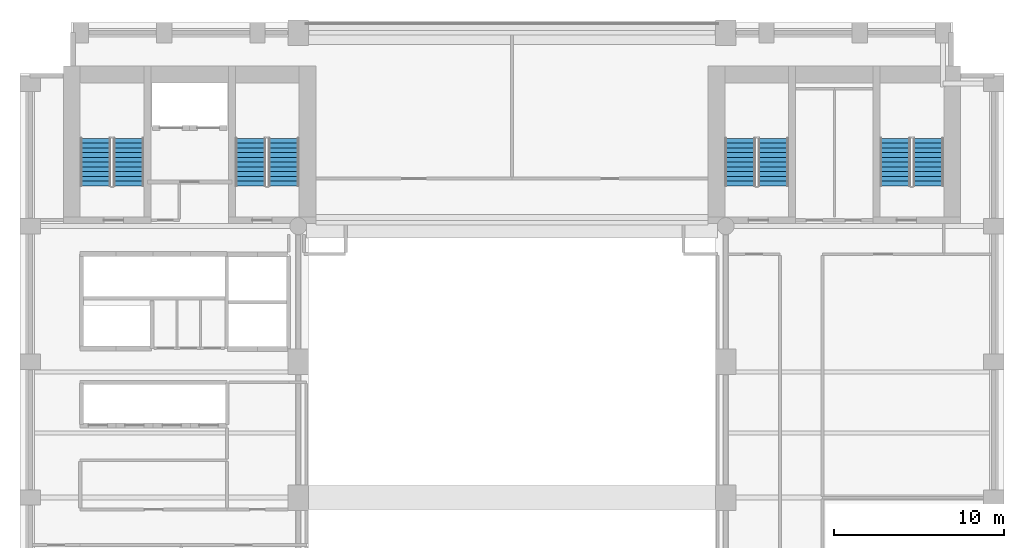
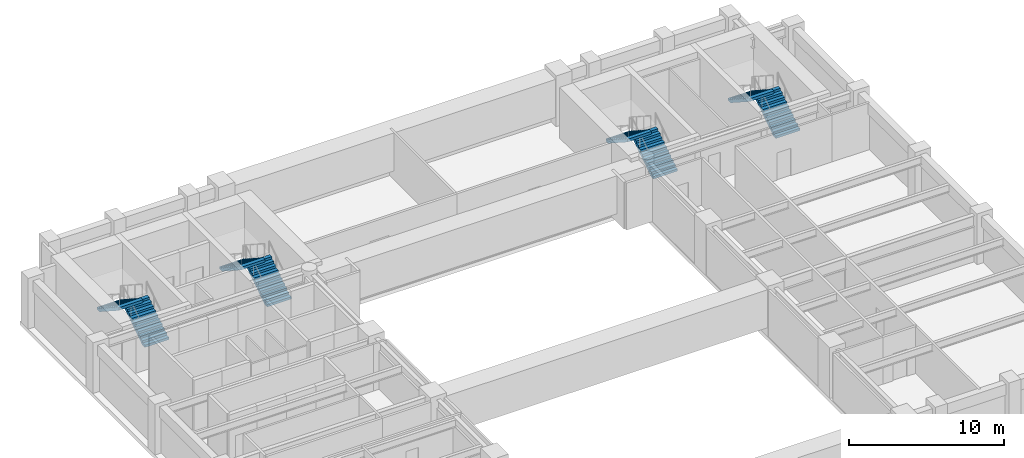
# One storey, part 5 of 8: 8 stair flights, 4 elements without a shape of their own.
"""IFC4 building model written with IfcOpenShell, lengths in metres."""

from ifc_helpers import new_model, si_unit, direction, frame, origin, place, context, subcontext, project, spatial, polyline, outline, extrude, material, type_object, element, aggregate, save


model = new_model("IFC4")

# Units and contexts
model_context = context("Model", 3, precision=1e-05, world=origin(), true_north=direction((0.0, 1.0)))
body_context = subcontext(model_context, "Body", "Model", "MODEL_VIEW")
ifc_project = project(units=[si_unit("LENGTHUNIT", "METRE"), si_unit("AREAUNIT", "SQUARE_METRE"), si_unit("VOLUMEUNIT", "CUBIC_METRE"), si_unit("PLANEANGLEUNIT", "RADIAN"), si_unit("MASSUNIT", "GRAM", prefix="KILO")], contexts=[model_context])

# Site, building, storey
site_placement = place(None, origin())
site = spatial("IfcSite", under=ifc_project, at=site_placement, CompositionType="ELEMENT")
building_placement = place(site_placement, origin())
building = spatial("IfcBuilding", under=site, at=building_placement, Name="Sulina Concourse Tower", CompositionType="ELEMENT")
storey_placement = place(building_placement, frame((0.0, 0.0, 42.60009765625)))
storey = spatial("IfcBuildingStorey", under=building, at=storey_placement, Name="L10", CompositionType="ELEMENT", Elevation=42.60009765625)

# Stair, stair flights
ifc_material_1 = material(Name="Concrete C50/60", Category="concrete")
stair_type_1 = type_object("IfcStairType", Name="Portal & Podium Core Exit Stair 1820mm", PredefinedType="HALF_TURN_STAIR", material=ifc_material_1)
stair_1_placement = place(storey_placement, origin())
stair_1 = element("IfcStair", 1, at=stair_1_placement, inside=storey, type_object=stair_type_1, Name="L10 ST-3", PredefinedType="HALF_TURN_STAIR")
ifc_material_2 = material(Name="Concrete C50/60", Category="concrete")
stair_flight_type_1 = type_object("IfcStairFlightType", Name="Portal & Podium Core Exit Stair 1820mm Flight", PredefinedType="STRAIGHT", material=ifc_material_2)
stair_flight_1_placement = place(storey_placement, frame((44.405029296875, 36.375, 0.0), z_axis=(0.0, 0.0, 1.0), x_axis=(0.0, 1.0, 0.0)))
stair_flight_1 = element("IfcStairFlight", 2, at=stair_flight_1_placement, type_object=stair_flight_type_1, Name="ST-3 flight 1", NumberOfRisers=11, NumberOfTreads=10, PredefinedType="STRAIGHT", RiserHeight=0.181818182, TreadLength=0.28, context=body_context, shape_type="SweptSolid", body=[
    extrude(outline(polyline([(0.0, 0.0), (0.0, 0.181884765625), (0.280029296875, 0.181884765625), (0.280029296875, 0.363525390625), (0.56005859375, 0.363525390625), (0.56005859375, 0.54541015625), (0.840087890625, 0.54541015625), (0.840087890625, 0.727294921875), (1.1201171875, 0.727294921875), (1.1201171875, 0.9091796875), (1.39990234375, 0.9091796875), (1.39990234375, 1.0908203125), (1.679931640625, 1.0908203125), (1.679931640625, 1.272705078125), (1.9599609375, 1.272705078125), (1.9599609375, 1.45458984375), (2.239990234375, 1.45458984375), (2.239990234375, 1.636474609375), (2.52001953125, 1.636474609375), (2.52001953125, 1.818115234375), (2.800048828125, 1.818115234375), (2.800048828125, 2.0), (2.800048828125, 1.603759765625), (0.330322265625, 0.0), (0.0, 0.0)])), frame((0.0, 0.89990234375, 0.0), z_axis=(0.0, -1.0, 0.0), x_axis=(1.0, 0.0, 0.0)), (0.0, 0.0, 1.0), 1.800048828125),
])
stair_flight_2_placement = place(storey_placement, frame((42.455078125, 39.175048828125, 2.0), z_axis=(0.0, 0.0, 1.0), x_axis=(0.0, -1.0, 0.0)))
stair_flight_2 = element("IfcStairFlight", 3, at=stair_flight_2_placement, type_object=stair_flight_type_1, Name="ST-3 flight 2", NumberOfRisers=11, NumberOfTreads=10, PredefinedType="STRAIGHT", RiserHeight=0.181818182, TreadLength=0.28, context=body_context, shape_type="SweptSolid", body=[
    extrude(outline(polyline([(0.0, 0.0), (0.0, 0.181884765625), (0.280029296875, 0.181884765625), (0.280029296875, 0.363525390625), (0.56005859375, 0.363525390625), (0.56005859375, 0.54541015625), (0.840087890625, 0.54541015625), (0.840087890625, 0.727294921875), (1.1201171875, 0.727294921875), (1.1201171875, 0.9091796875), (1.39990234375, 0.9091796875), (1.39990234375, 1.0908203125), (1.679931640625, 1.0908203125), (1.679931640625, 1.272705078125), (1.9599609375, 1.272705078125), (1.9599609375, 1.45458984375), (2.239990234375, 1.45458984375), (2.239990234375, 1.636474609375), (2.52001953125, 1.636474609375), (2.52001953125, 1.818115234375), (2.800048828125, 1.818115234375), (2.800048828125, 2.0), (2.800048828125, 1.603759765625), (0.330322265625, 0.0), (0.0, 0.0)])), frame((0.0, 0.89990234375, 0.0), z_axis=(0.0, -1.0, 0.0), x_axis=(1.0, 0.0, 0.0)), (0.0, 0.0, 1.0), 1.800048828125),
])
aggregate(stair_1, [stair_flight_1, stair_flight_2])

stair_2_placement = place(storey_placement, origin())
stair_2 = element("IfcStair", 4, at=stair_2_placement, inside=storey, type_object=stair_type_1, Name="L10 ST-4", PredefinedType="HALF_TURN_STAIR")
stair_flight_3_placement = place(storey_placement, frame((53.544921875, 36.375, 0.0), z_axis=(0.0, 0.0, 1.0), x_axis=(0.0, 1.0, 0.0)))
stair_flight_3 = element("IfcStairFlight", 5, at=stair_flight_3_placement, type_object=stair_flight_type_1, Name="ST-4 flight 1", NumberOfRisers=11, NumberOfTreads=10, PredefinedType="STRAIGHT", RiserHeight=0.181818182, TreadLength=0.28, context=body_context, shape_type="SweptSolid", body=[
    extrude(outline(polyline([(0.0, 0.0), (0.0, 0.181884765625), (0.280029296875, 0.181884765625), (0.280029296875, 0.363525390625), (0.56005859375, 0.363525390625), (0.56005859375, 0.54541015625), (0.840087890625, 0.54541015625), (0.840087890625, 0.727294921875), (1.1201171875, 0.727294921875), (1.1201171875, 0.9091796875), (1.39990234375, 0.9091796875), (1.39990234375, 1.0908203125), (1.679931640625, 1.0908203125), (1.679931640625, 1.272705078125), (1.9599609375, 1.272705078125), (1.9599609375, 1.45458984375), (2.239990234375, 1.45458984375), (2.239990234375, 1.636474609375), (2.52001953125, 1.636474609375), (2.52001953125, 1.818115234375), (2.800048828125, 1.818115234375), (2.800048828125, 2.0), (2.800048828125, 1.603759765625), (0.330322265625, 0.0), (0.0, 0.0)])), frame((0.0, 0.89990234375, 0.0), z_axis=(0.0, -1.0, 0.0), x_axis=(1.0, 0.0, 0.0)), (0.0, 0.0, 1.0), 1.800048828125),
])
stair_flight_4_placement = place(storey_placement, frame((51.594970703125, 39.175048828125, 2.0), z_axis=(0.0, 0.0, 1.0), x_axis=(0.0, -1.0, 0.0)))
stair_flight_4 = element("IfcStairFlight", 6, at=stair_flight_4_placement, type_object=stair_flight_type_1, Name="ST-4 flight 2", NumberOfRisers=11, NumberOfTreads=10, PredefinedType="STRAIGHT", RiserHeight=0.181818182, TreadLength=0.28, context=body_context, shape_type="SweptSolid", body=[
    extrude(outline(polyline([(0.0, 0.0), (0.0, 0.181884765625), (0.280029296875, 0.181884765625), (0.280029296875, 0.363525390625), (0.56005859375, 0.363525390625), (0.56005859375, 0.54541015625), (0.840087890625, 0.54541015625), (0.840087890625, 0.727294921875), (1.1201171875, 0.727294921875), (1.1201171875, 0.9091796875), (1.39990234375, 0.9091796875), (1.39990234375, 1.0908203125), (1.679931640625, 1.0908203125), (1.679931640625, 1.272705078125), (1.9599609375, 1.272705078125), (1.9599609375, 1.45458984375), (2.239990234375, 1.45458984375), (2.239990234375, 1.636474609375), (2.52001953125, 1.636474609375), (2.52001953125, 1.818115234375), (2.800048828125, 1.818115234375), (2.800048828125, 2.0), (2.800048828125, 1.603759765625), (0.330322265625, 0.0), (0.0, 0.0)])), frame((0.0, 0.89990234375, 0.0), z_axis=(0.0, -1.0, 0.0), x_axis=(1.0, 0.0, 0.0)), (0.0, 0.0, 1.0), 1.800048828125),
])
aggregate(stair_2, [stair_flight_3, stair_flight_4])

ifc_material_3 = material(Name="Concrete C50/60", Category="concrete")
stair_type_2 = type_object("IfcStairType", Name="Primary Core Dog-Leg Exit Stair 1800mm", PredefinedType="HALF_TURN_STAIR", material=ifc_material_3)
stair_3_placement = place(storey_placement, origin())
stair_3 = element("IfcStair", 7, at=stair_3_placement, inside=storey, type_object=stair_type_2, Name="L10 ST-1", PredefinedType="HALF_TURN_STAIR")
ifc_material_4 = material(Name="Concrete C50/60", Category="concrete")
stair_flight_type_2 = type_object("IfcStairFlightType", Name="Primary Core Dog-Leg Exit Stair 1800mm Flight", PredefinedType="STRAIGHT", material=ifc_material_4)
stair_flight_5_placement = place(storey_placement, frame((6.405029296875, 36.375, 0.0), z_axis=(0.0, 0.0, 1.0), x_axis=(0.0, 1.0, 0.0)))
stair_flight_5 = element("IfcStairFlight", 8, at=stair_flight_5_placement, type_object=stair_flight_type_2, Name="ST-1 flight 1", NumberOfRisers=11, NumberOfTreads=10, PredefinedType="STRAIGHT", RiserHeight=0.181818182, TreadLength=0.28, context=body_context, shape_type="SweptSolid", body=[
    extrude(outline(polyline([(0.0, 0.0), (0.0, 0.181884765625), (0.280029296875, 0.181884765625), (0.280029296875, 0.363525390625), (0.56005859375, 0.363525390625), (0.56005859375, 0.54541015625), (0.840087890625, 0.54541015625), (0.840087890625, 0.727294921875), (1.1201171875, 0.727294921875), (1.1201171875, 0.9091796875), (1.39990234375, 0.9091796875), (1.39990234375, 1.0908203125), (1.679931640625, 1.0908203125), (1.679931640625, 1.272705078125), (1.9599609375, 1.272705078125), (1.9599609375, 1.45458984375), (2.239990234375, 1.45458984375), (2.239990234375, 1.636474609375), (2.52001953125, 1.636474609375), (2.52001953125, 1.818115234375), (2.800048828125, 1.818115234375), (2.800048828125, 2.0), (2.800048828125, 1.603759765625), (0.330322265625, 0.0), (0.0, 0.0)])), frame((0.0, 0.89990234375, 0.0), z_axis=(0.0, -1.0, 0.0), x_axis=(1.0, 0.0, 0.0)), (0.0, 0.0, 1.0), 1.800048828125),
])
stair_flight_6_placement = place(storey_placement, frame((4.455078125, 39.175048828125, 2.0), z_axis=(0.0, 0.0, 1.0), x_axis=(0.0, -1.0, 0.0)))
stair_flight_6 = element("IfcStairFlight", 9, at=stair_flight_6_placement, type_object=stair_flight_type_2, Name="ST-1 flight 2", NumberOfRisers=11, NumberOfTreads=10, PredefinedType="STRAIGHT", RiserHeight=0.181818182, TreadLength=0.28, context=body_context, shape_type="SweptSolid", body=[
    extrude(outline(polyline([(0.0, 0.0), (0.0, 0.181884765625), (0.280029296875, 0.181884765625), (0.280029296875, 0.363525390625), (0.56005859375, 0.363525390625), (0.56005859375, 0.54541015625), (0.840087890625, 0.54541015625), (0.840087890625, 0.727294921875), (1.1201171875, 0.727294921875), (1.1201171875, 0.9091796875), (1.39990234375, 0.9091796875), (1.39990234375, 1.0908203125), (1.679931640625, 1.0908203125), (1.679931640625, 1.272705078125), (1.9599609375, 1.272705078125), (1.9599609375, 1.45458984375), (2.239990234375, 1.45458984375), (2.239990234375, 1.636474609375), (2.52001953125, 1.636474609375), (2.52001953125, 1.818115234375), (2.800048828125, 1.818115234375), (2.800048828125, 2.0), (2.800048828125, 1.603759765625), (0.330322265625, 0.0), (0.0, 0.0)])), frame((0.0, 0.89990234375, 0.0), z_axis=(0.0, -1.0, 0.0), x_axis=(1.0, 0.0, 0.0)), (0.0, 0.0, 1.0), 1.800048828125),
])
aggregate(stair_3, [stair_flight_5, stair_flight_6])

stair_4_placement = place(storey_placement, origin())
stair_4 = element("IfcStair", 10, at=stair_4_placement, inside=storey, type_object=stair_type_2, Name="L10 ST-2", PredefinedType="HALF_TURN_STAIR")
stair_flight_7_placement = place(storey_placement, frame((15.544921875, 36.375, 0.0), z_axis=(0.0, 0.0, 1.0), x_axis=(0.0, 1.0, 0.0)))
stair_flight_7 = element("IfcStairFlight", 11, at=stair_flight_7_placement, type_object=stair_flight_type_2, Name="ST-2 flight 1", NumberOfRisers=11, NumberOfTreads=10, PredefinedType="STRAIGHT", RiserHeight=0.181818182, TreadLength=0.28, context=body_context, shape_type="SweptSolid", body=[
    extrude(outline(polyline([(0.0, 0.0), (0.0, 0.181884765625), (0.280029296875, 0.181884765625), (0.280029296875, 0.363525390625), (0.56005859375, 0.363525390625), (0.56005859375, 0.54541015625), (0.840087890625, 0.54541015625), (0.840087890625, 0.727294921875), (1.1201171875, 0.727294921875), (1.1201171875, 0.9091796875), (1.39990234375, 0.9091796875), (1.39990234375, 1.0908203125), (1.679931640625, 1.0908203125), (1.679931640625, 1.272705078125), (1.9599609375, 1.272705078125), (1.9599609375, 1.45458984375), (2.239990234375, 1.45458984375), (2.239990234375, 1.636474609375), (2.52001953125, 1.636474609375), (2.52001953125, 1.818115234375), (2.800048828125, 1.818115234375), (2.800048828125, 2.0), (2.800048828125, 1.603759765625), (0.330322265625, 0.0), (0.0, 0.0)])), frame((0.0, 0.89990234375, 0.0), z_axis=(0.0, -1.0, 0.0), x_axis=(1.0, 0.0, 0.0)), (0.0, 0.0, 1.0), 1.800048828125),
])
stair_flight_8_placement = place(storey_placement, frame((13.594970703125, 39.175048828125, 2.0), z_axis=(0.0, 0.0, 1.0), x_axis=(0.0, -1.0, 0.0)))
stair_flight_8 = element("IfcStairFlight", 12, at=stair_flight_8_placement, type_object=stair_flight_type_2, Name="ST-2 flight 2", NumberOfRisers=11, NumberOfTreads=10, PredefinedType="STRAIGHT", RiserHeight=0.181818182, TreadLength=0.28, context=body_context, shape_type="SweptSolid", body=[
    extrude(outline(polyline([(0.0, 0.0), (0.0, 0.181884765625), (0.280029296875, 0.181884765625), (0.280029296875, 0.363525390625), (0.56005859375, 0.363525390625), (0.56005859375, 0.54541015625), (0.840087890625, 0.54541015625), (0.840087890625, 0.727294921875), (1.1201171875, 0.727294921875), (1.1201171875, 0.9091796875), (1.39990234375, 0.9091796875), (1.39990234375, 1.0908203125), (1.679931640625, 1.0908203125), (1.679931640625, 1.272705078125), (1.9599609375, 1.272705078125), (1.9599609375, 1.45458984375), (2.239990234375, 1.45458984375), (2.239990234375, 1.636474609375), (2.52001953125, 1.636474609375), (2.52001953125, 1.818115234375), (2.800048828125, 1.818115234375), (2.800048828125, 2.0), (2.800048828125, 1.603759765625), (0.330322265625, 0.0), (0.0, 0.0)])), frame((0.0, 0.89990234375, 0.0), z_axis=(0.0, -1.0, 0.0), x_axis=(1.0, 0.0, 0.0)), (0.0, 0.0, 1.0), 1.800048828125),
])
aggregate(stair_4, [stair_flight_7, stair_flight_8])

save(model, "model.ifc")
